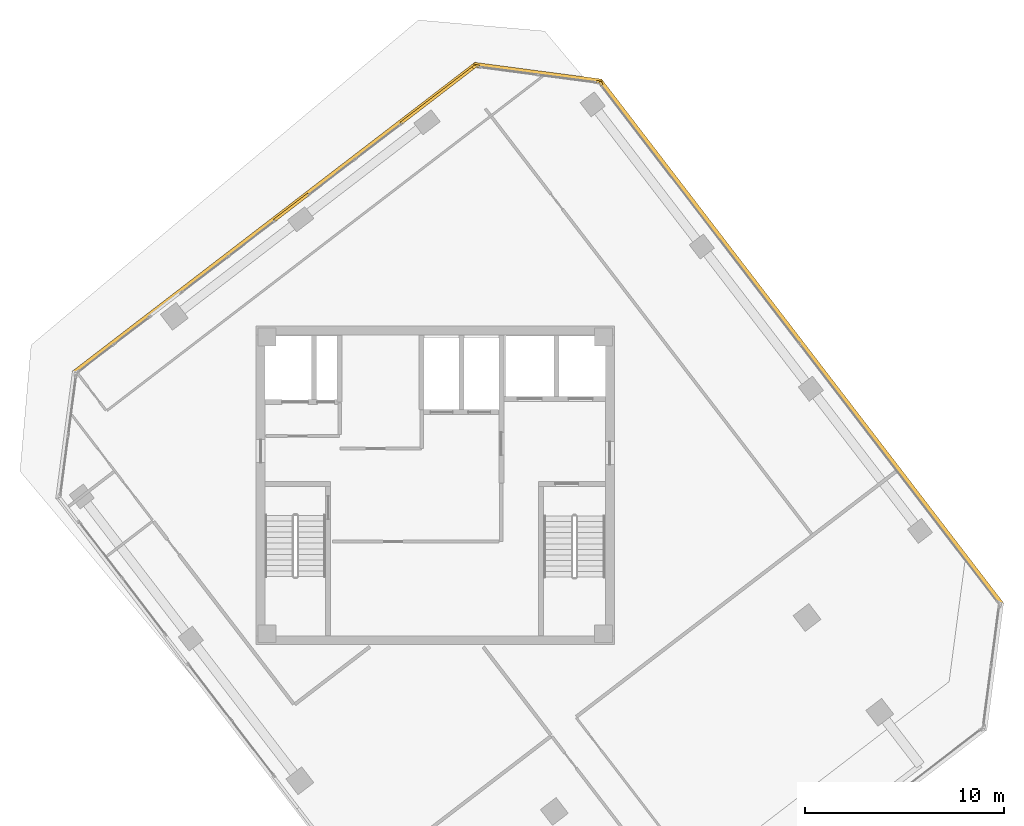
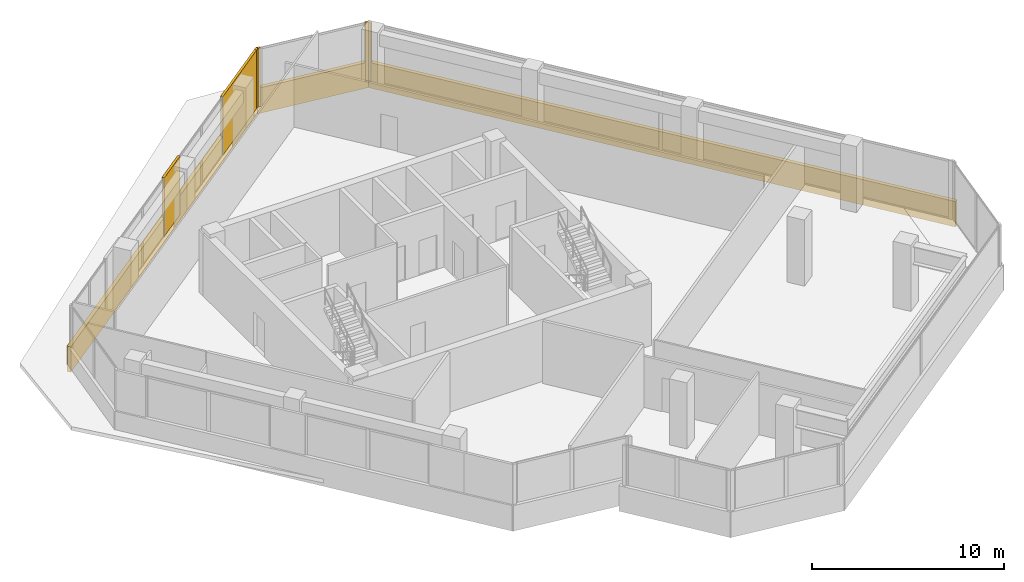
# One storey, part 17 of 17: 9 coverings.
"""IFC4 building model written with IfcOpenShell, lengths in metres."""

from ifc_helpers import new_model, si_unit, direction, frame, origin, origin_2d, place, context, subcontext, project, spatial, rectangle, extrude, source, transform, mapped, material, layer, layer_set, type_object, element, save


model = new_model("IFC4")

# Units and contexts
model_context = context("Model", 3, precision=1e-05, world=origin(), true_north=direction((0.0, 1.0)))
body_context = subcontext(model_context, "Body", "Model", "MODEL_VIEW")
ifc_project = project(units=[si_unit("LENGTHUNIT", "METRE"), si_unit("AREAUNIT", "SQUARE_METRE"), si_unit("VOLUMEUNIT", "CUBIC_METRE"), si_unit("PLANEANGLEUNIT", "RADIAN"), si_unit("MASSUNIT", "GRAM", prefix="KILO")], contexts=[model_context])

# Site, building, storey
site_placement = place(None, origin())
site = spatial("IfcSite", under=ifc_project, at=site_placement, CompositionType="ELEMENT")
building_placement = place(site_placement, origin())
building = spatial("IfcBuilding", under=site, at=building_placement, Name="Torre Montelarca", CompositionType="ELEMENT")
storey_placement = place(building_placement, frame((0.0, 0.0, 279.39990234375)))
storey = spatial("IfcBuildingStorey", under=building, at=storey_placement, Name="L63", CompositionType="ELEMENT", Elevation=279.39990234375)

# Coverings
ifc_material = material(Name="Bush-hammered warm white precast concrete C45/55", Category="concrete")
ifc_layer = layer(ifc_material, 0.139892578125, Name="Bush-hammered warm white precast concrete C45/55", Category="concrete")
ifc_layer_set = layer_set([ifc_layer], Name="Bush-hammered warm white precast concrete C45/55")
covering_type = type_object("IfcCoveringType", Name="COV-TRAY-CLAD", PredefinedType="CLADDING", material=ifc_layer_set)
shared_shape_1 = source(origin(), body_context, "Body", "SweptSolid", [
    extrude(rectangle(XDim=6.48388671875, YDim=0.219970703125, at=origin_2d()), origin(), (0.0, 0.0, 1.0), 1.6201171875),
])
covering_1_placement = place(storey_placement, frame((23.157958984375, 52.7197265625, -0.449951171875), z_axis=(0.0, 0.0, 1.0), x_axis=(-0.991444177927, 0.130531383411, 0.0)))
element("IfcCovering", 1, at=covering_1_placement, inside=storey, type_object=covering_type, Name="L63 Architectural White Spandrel Tray Band TRYBOT-09", PredefinedType="CLADDING", context=body_context, shape_type="MappedRepresentation", body=[
    mapped(shared_shape_1, transform((0.0, 0.0, 0.0), scale=1.0)),
])
shared_shape_2 = source(origin(), body_context, "Body", "SweptSolid", [
    extrude(rectangle(XDim=25.52001953125, YDim=0.219970703125, at=origin_2d()), origin(), (0.0, 0.0, 1.0), 1.6201171875),
])
covering_2_placement = place(storey_placement, frame((9.949951171875, 45.409912109375, -0.449951171875), z_axis=(0.0, 0.0, 1.0), x_axis=(-0.793352277801, -0.608762813671, 0.0)))
element("IfcCovering", 2, at=covering_2_placement, inside=storey, type_object=covering_type, Name="L63 Architectural White Spandrel Tray Band TRYBOT-10", PredefinedType="CLADDING", context=body_context, shape_type="MappedRepresentation", body=[
    mapped(shared_shape_2, transform((0.0, 0.0, 0.0), scale=1.0)),
])
shared_shape_3 = source(origin(), body_context, "Body", "SweptSolid", [
    extrude(rectangle(XDim=0.199951171875, YDim=0.139892578125, at=origin_2d()), origin(), (0.0, 0.0, 1.0), 3.719970703125),
])
for number, where, z_axis, x_axis, name in (
    (3, (26.31591796875, 52.1875, 0.0), (0.0, 0.0, 1.0), (-0.608762813671, 0.793352277801, 0.0), "L63 Architectural Column Pier Cladding E08-2"),
    (4, (26.18994140625, 52.260009765625, 0.0), (0.0, 0.0, 1.0), (-0.991444177927, 0.130531383411, 0.0), "L63 Architectural Column Pier Cladding E09-1"),
    (5, (20.1103515625, 53.060546875, 0.0), (0.0, 0.0, 1.0), (-0.991444177927, 0.130531383411, 0.0), "L63 Architectural Column Pier Cladding E09-2"),
    (6, (19.97021484375, 53.02294921875, 0.0), (0.0, 0.0, 1.0), (-0.793351215308, -0.608764198331, 0.0), "L63 Architectural Column Pier Cladding E10-1"),
):
    element("IfcCovering", number, at=place(storey_placement, frame(where, z_axis=z_axis, x_axis=x_axis)), inside=storey, type_object=covering_type, Name=name, PredefinedType="CLADDING", context=body_context, shape_type="MappedRepresentation", body=[
        mapped(shared_shape_3, transform((0.0, 0.0, 0.0), scale=1.0)),
    ])
shared_shape_4 = source(origin(), body_context, "Body", "SweptSolid", [
    extrude(rectangle(XDim=33.219970703125, YDim=0.219970703125, at=origin_2d()), origin(), (0.0, 0.0, 1.0), 1.6201171875),
])
covering_3_placement = place(storey_placement, frame((36.367919921875, 39.185791015625, -0.449951171875), z_axis=(0.0, 0.0, 1.0), x_axis=(-0.608761429009, 0.793353340291, 0.0)))
element("IfcCovering", 7, at=covering_3_placement, inside=storey, type_object=covering_type, Name="L63 Architectural White Spandrel Tray Band TRYBOT-08", PredefinedType="CLADDING", context=body_context, shape_type="MappedRepresentation", body=[
    mapped(shared_shape_4, transform((0.0, 0.0, 0.0), scale=1.0)),
])
shared_shape_5 = source(origin(), body_context, "Body", "SweptSolid", [
    extrude(rectangle(XDim=4.664306640625, YDim=0.139892578125, at=origin_2d()), origin(), (0.0, 0.0, 1.0), 3.719970703125),
])
covering_4_placement = place(storey_placement, frame((18.119873046875, 51.603271484375, 0.0), z_axis=(0.0, 0.0, 1.0), x_axis=(-0.793351215308, -0.608764198331, 0.0)))
element("IfcCovering", 8, at=covering_4_placement, inside=storey, type_object=covering_type, Name="L63 Architectural Column Pier Cladding E10-2", PredefinedType="CLADDING", context=body_context, shape_type="MappedRepresentation", body=[
    mapped(shared_shape_5, transform((0.0, 0.0, 0.0), scale=1.0)),
])
shared_shape_6 = source(origin(), body_context, "Body", "SweptSolid", [
    extrude(rectangle(XDim=2.159912109375, YDim=0.139892578125, at=origin_2d()), origin(), (0.0, 0.0, 1.0), 3.719970703125),
])
covering_5_placement = place(storey_placement, frame((10.77978515625, 45.970947265625, 0.0), z_axis=(0.0, 0.0, 1.0), x_axis=(-0.793351215308, -0.608764198331, 0.0)))
element("IfcCovering", 9, at=covering_5_placement, inside=storey, type_object=covering_type, Name="L63 Architectural Column Pier Cladding E10-3", PredefinedType="CLADDING", context=body_context, shape_type="MappedRepresentation", body=[
    mapped(shared_shape_6, transform((0.0, 0.0, 0.0), scale=1.0)),
])

save(model, "model.ifc")
